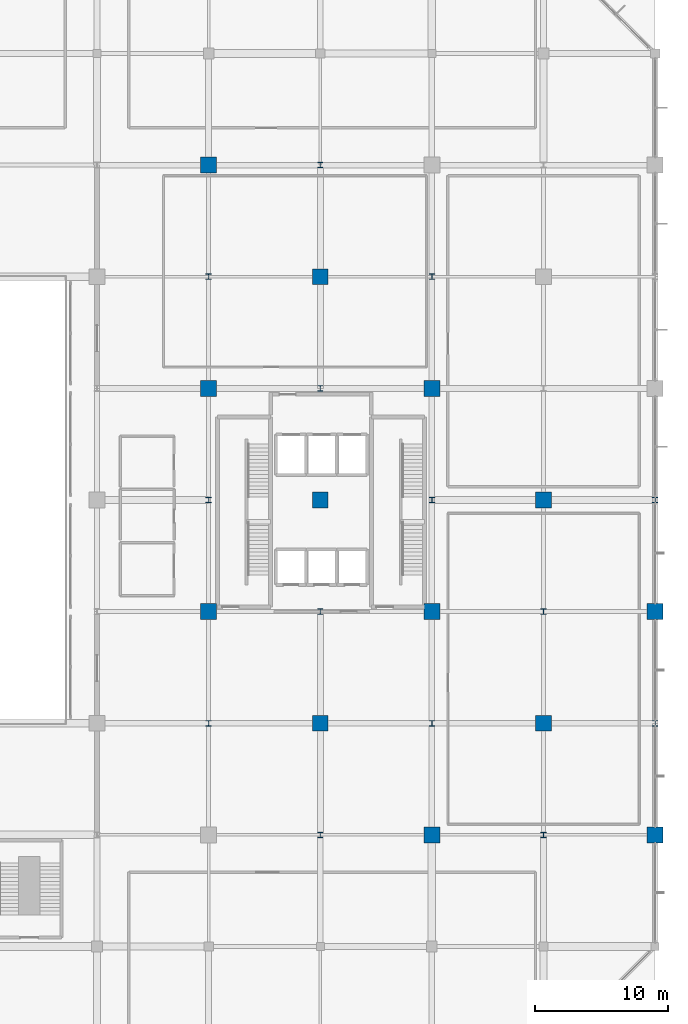
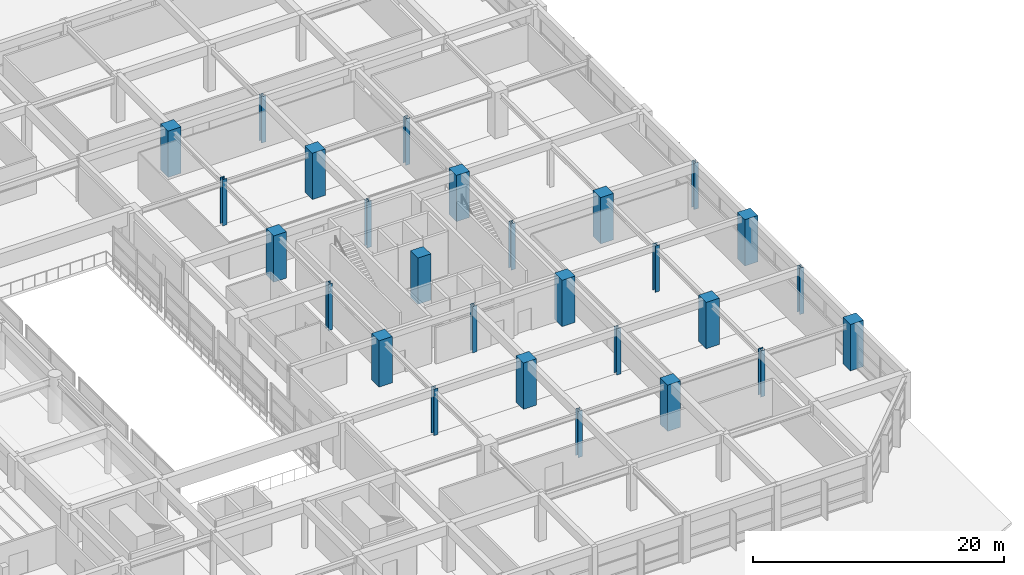
# One storey, part 6 of 60: 27 columns.
"""IFC4 building model written with IfcOpenShell, lengths in metres."""

from ifc_helpers import new_model, si_unit, direction, frame, origin, origin_2d, place, context, subcontext, project, spatial, rectangle, i_section, extrude, material, material_profile, profile_set, type_object, element, save


model = new_model("IFC4")

# Units and contexts
model_context = context("Model", 3, precision=1e-05, world=origin(), true_north=direction((0.0, 1.0)))
body_context = subcontext(model_context, "Body", "Model", "MODEL_VIEW")
ifc_project = project(units=[si_unit("LENGTHUNIT", "METRE"), si_unit("AREAUNIT", "SQUARE_METRE"), si_unit("VOLUMEUNIT", "CUBIC_METRE"), si_unit("PLANEANGLEUNIT", "RADIAN"), si_unit("MASSUNIT", "GRAM", prefix="KILO")], contexts=[model_context])

# Site, building, storey
site_placement = place(None, origin())
site = spatial("IfcSite", under=ifc_project, at=site_placement, CompositionType="ELEMENT")
building_placement = place(site_placement, origin())
building = spatial("IfcBuilding", under=site, at=building_placement, Name="Xuanlan Plaza Opera House", CompositionType="ELEMENT")
storey_placement = place(building_placement, frame((0.0, 0.0, 9.89990234375)))
storey = spatial("IfcBuildingStorey", under=building, at=storey_placement, Name="L02", CompositionType="ELEMENT", Elevation=9.89990234375)

# Columns
ifc_material_1 = material(Name="Concrete C60", Category="concrete")
ifc_material_profile_1 = material_profile(ifc_material_1, rectangle(XDim=1.199951171875, YDim=1.199951171875, at=origin_2d()), Name="RC-COL 1200x1200")
ifc_profile_set_1 = profile_set([ifc_material_profile_1], Name="Concrete C60")
column_type_1 = type_object("IfcColumnType", Name="STR-COL-C-02", PredefinedType="COLUMN", material=ifc_profile_set_1)
for number, where, z_axis, x_axis, name in (
    (1, (134.39990234375, 50.39990234375, 0.0), (0.0, 0.0, 1.0), (1.0, 0.0, 0.0), "Column L02 17-G"),
    (2, (134.39990234375, 67.199951171875, 0.0), (0.0, 0.0, 1.0), (1.0, 0.0, 0.0), "Column L02 17-I"),
    (3, (134.39990234375, 84.0, 0.0), (0.0, 0.0, 1.0), (1.0, 0.0, 0.0), "Column L02 17-K"),
    (4, (142.800048828125, 42.0, 0.0), (0.0, 0.0, 1.0), (1.0, 0.0, 0.0), "Column L02 18-F"),
    (5, (142.800048828125, 58.800048828125, 0.0), (0.0, 0.0, 1.0), (1.0, 0.0, 0.0), "Column L02 18-H"),
    (6, (142.800048828125, 75.60009765625, 0.0), (0.0, 0.0, 1.0), (1.0, 0.0, 0.0), "Column L02 18-J"),
    (7, (151.199951171875, 33.60009765625, 0.0), (0.0, 0.0, 1.0), (1.0, 0.0, 0.0), "Column L02 19-E"),
    (8, (151.199951171875, 50.39990234375, 0.0), (0.0, 0.0, 1.0), (1.0, 0.0, 0.0), "Column L02 19-G"),
    (9, (151.199951171875, 67.199951171875, 0.0), (0.0, 0.0, 1.0), (1.0, 0.0, 0.0), "Column L02 19-I"),
    (10, (159.60009765625, 42.0, 0.0), (0.0, 0.0, 1.0), (1.0, 0.0, 0.0), "Column L02 20-F"),
    (11, (159.60009765625, 58.800048828125, 0.0), (0.0, 0.0, 1.0), (1.0, 0.0, 0.0), "Column L02 20-H"),
    (12, (168.0, 33.60009765625, 0.0), (0.0, 0.0, 1.0), (1.0, 0.0, 0.0), "Column L02 21-E"),
    (13, (168.0, 50.39990234375, 0.0), (0.0, 0.0, 1.0), (1.0, 0.0, 0.0), "Column L02 21-G"),
):
    element("IfcColumn", number, at=place(storey_placement, frame(where, z_axis=z_axis, x_axis=x_axis)), inside=storey, type_object=column_type_1, Name=name, PredefinedType="COLUMN", context=body_context, shape_type="SweptSolid", body=[
        extrude(rectangle(XDim=1.199951171875, YDim=1.199951171875, at=origin_2d()), origin(), (0.0, 0.0, 1.0), 4.5),
    ])
ifc_material_2 = material(Name="Steel Q390B", Category="steel")
ifc_material_profile_2 = material_profile(ifc_material_2, i_section(OverallWidth=0.405029296875, OverallDepth=0.4140625, WebThickness=0.01806640625, FlangeThickness=0.028076171875, FilletRadius=0.02197265625, at=origin_2d()), Name="HW 414x405x18x28")
ifc_profile_set_2 = profile_set([ifc_material_profile_2], Name="Steel Q390B")
column_type_2 = type_object("IfcColumnType", Name="STR-COL-C-13", PredefinedType="COLUMN", material=ifc_profile_set_2)
for number, where, z_axis, x_axis, name in (
    (14, (134.39990234375, 42.0, 0.0), (0.0, 0.0, 1.0), (1.0, 0.0, 0.0), "Column L02 17-F"),
    (15, (134.39990234375, 58.800048828125, 0.0), (0.0, 0.0, 1.0), (1.0, 0.0, 0.0), "Column L02 17-H"),
    (16, (134.39990234375, 75.60009765625, 0.0), (0.0, 0.0, 1.0), (1.0, 0.0, 0.0), "Column L02 17-J"),
    (17, (142.800048828125, 33.60009765625, 0.0), (0.0, 0.0, 1.0), (1.0, 0.0, 0.0), "Column L02 18-E"),
    (18, (142.800048828125, 50.39990234375, 0.0), (0.0, 0.0, 1.0), (1.0, 0.0, 0.0), "Column L02 18-G"),
    (19, (142.800048828125, 67.199951171875, 0.0), (0.0, 0.0, 1.0), (1.0, 0.0, 0.0), "Column L02 18-I"),
    (20, (142.800048828125, 84.0, 0.0), (0.0, 0.0, 1.0), (1.0, 0.0, 0.0), "Column L02 18-K"),
    (21, (151.199951171875, 42.0, 0.0), (0.0, 0.0, 1.0), (1.0, 0.0, 0.0), "Column L02 19-F"),
    (22, (151.199951171875, 58.800048828125, 0.0), (0.0, 0.0, 1.0), (1.0, 0.0, 0.0), "Column L02 19-H"),
    (23, (151.199951171875, 75.60009765625, 0.0), (0.0, 0.0, 1.0), (1.0, 0.0, 0.0), "Column L02 19-J"),
    (24, (159.60009765625, 33.60009765625, 0.0), (0.0, 0.0, 1.0), (1.0, 0.0, 0.0), "Column L02 20-E"),
    (25, (159.60009765625, 50.39990234375, 0.0), (0.0, 0.0, 1.0), (1.0, 0.0, 0.0), "Column L02 20-G"),
    (26, (168.0, 42.0, 0.0), (0.0, 0.0, 1.0), (1.0, 0.0, 0.0), "Column L02 21-F"),
    (27, (168.0, 58.800048828125, 0.0), (0.0, 0.0, 1.0), (1.0, 0.0, 0.0), "Column L02 21-H"),
):
    element("IfcColumn", number, at=place(storey_placement, frame(where, z_axis=z_axis, x_axis=x_axis)), inside=storey, type_object=column_type_2, Name=name, PredefinedType="COLUMN", context=body_context, shape_type="SweptSolid", body=[
        extrude(i_section(OverallWidth=0.405029296875, OverallDepth=0.4140625, WebThickness=0.01806640625, FlangeThickness=0.028076171875, FilletRadius=0.02197265625, at=origin_2d()), origin(), (0.0, 0.0, 1.0), 4.5),
    ])

save(model, "model.ifc")
